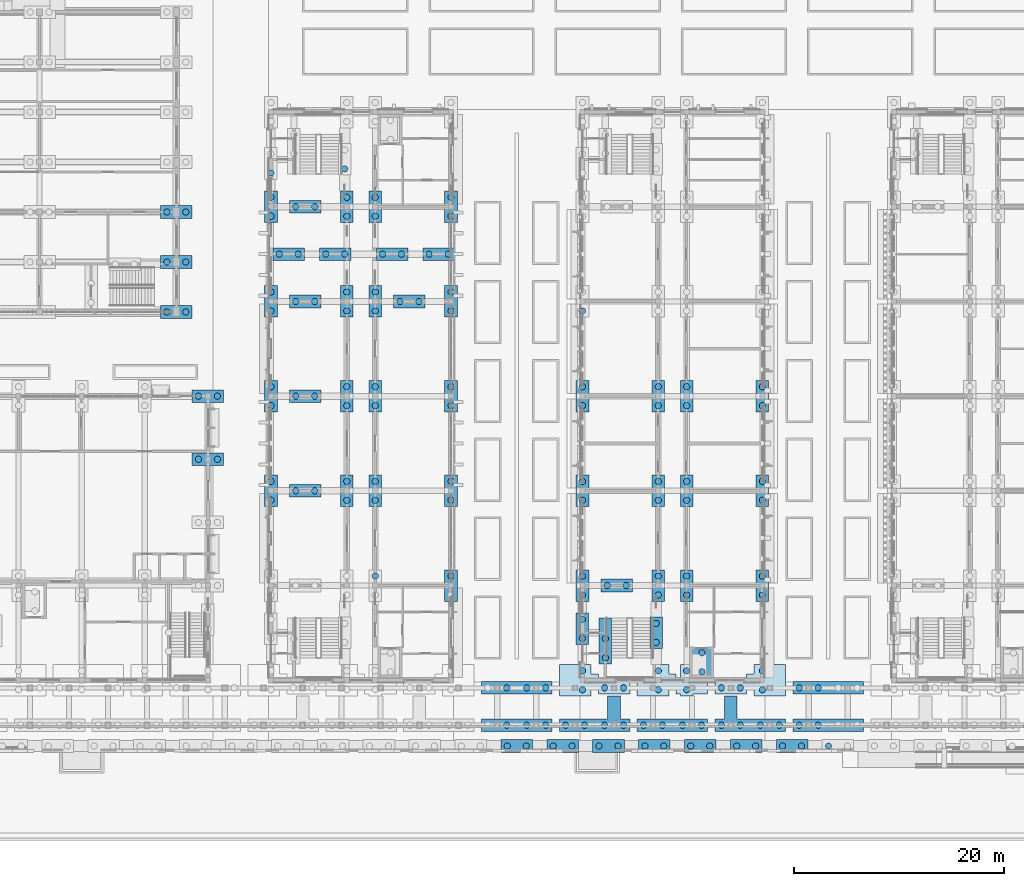
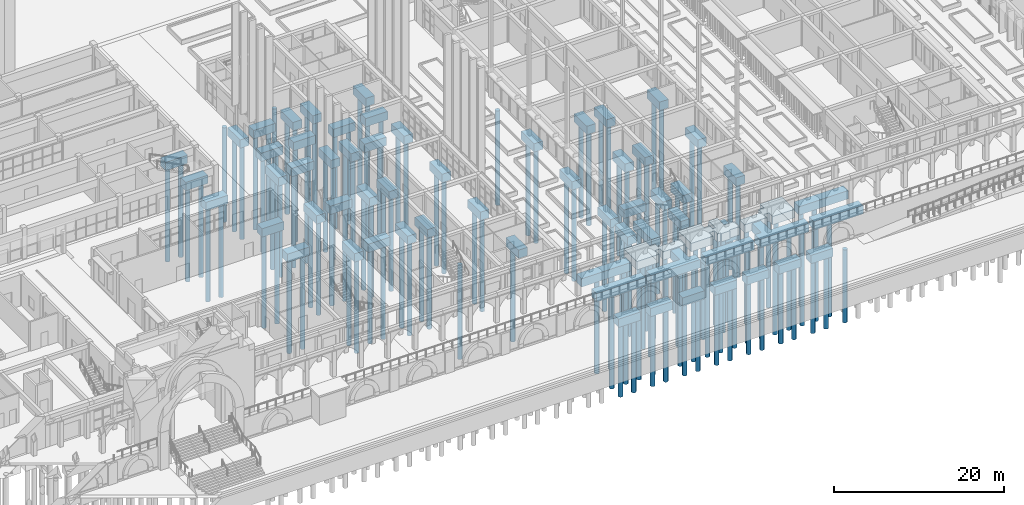
# One storey, part 3 of 161: 148 piles, 65 footings.
"""IFC4 building model written with IfcOpenShell, lengths in metres."""

import ifcopenshell
import ifcopenshell.guid

model = None  # the IFC model being written
_history = None  # IfcOwnerHistory: only IFC2X3 demands one
_inside = {}  # id of a spatial element -> (the spatial element, [elements in it])
_under = {}  # id of a project, library or spatial element -> (it, [spatial elements below it])
_declared = {}  # id of a project -> (the project, [libraries it declares])
_typed = {}  # id of a type object -> (the type object, [elements of that type])
_made_of = {}  # id of a material, layer set ... -> (it, [elements and type objects made of it])


def new_model(schema):
    """Start an empty IFC model of exactly this schema.

    Asked for "IFC4X3", IfcOpenShell would pick the latest addendum, in which some entities
    have other attributes; the version numbers below select the first issue.
    IFC2X3 requires an IfcOwnerHistory on every rooted entity: one is made here for all.
    """
    global model, _history
    if schema == "IFC4X3":
        model = ifcopenshell.file(schema_version=(4, 3, 0, 0))
    else:
        model = ifcopenshell.file(schema=schema)
    _inside.clear()
    _under.clear()
    _declared.clear()
    _typed.clear()
    _made_of.clear()
    _history = None
    if model.schema == "IFC2X3":
        org = make("IfcOrganization", Name="unknown")
        user = make(
            "IfcPersonAndOrganization",
            ThePerson=make("IfcPerson", FamilyName="unknown"),
            TheOrganization=org,
        )
        app = make(
            "IfcApplication",
            ApplicationDeveloper=org,
            Version="unknown",
            ApplicationFullName="unknown",
            ApplicationIdentifier="unknown",
        )
        _history = make(
            "IfcOwnerHistory",
            OwningUser=user,
            OwningApplication=app,
            ChangeAction="ADDED",
            CreationDate=0,
        )
    return model


def make(cls, **values):
    """One entity of the class cls with the attributes given. An attribute that is None is left unset."""
    return model.create_entity(
        cls, **{name: value for name, value in values.items() if value is not None}
    )


def rooted(cls, **values):
    """An entity with a GlobalId (a new one), such as an element, a storey or a relation."""
    return make(cls, GlobalId=ifcopenshell.guid.new(), OwnerHistory=_history, **values)


def si_unit(unit_type, name, prefix=None):
    """IfcSIUnit, for example si_unit("LENGTHUNIT", "METRE", prefix="MILLI")."""
    return make("IfcSIUnit", UnitType=unit_type, Prefix=prefix, Name=name)


def assignment(units):
    """IfcUnitAssignment: the units of a project."""
    return None if units is None else make("IfcUnitAssignment", Units=units)


def point(xyz):
    """IfcCartesianPoint."""
    return None if xyz is None else make("IfcCartesianPoint", Coordinates=xyz)


def direction(xyz):
    """IfcDirection."""
    return None if xyz is None else make("IfcDirection", DirectionRatios=xyz)


def frame(location, z_axis=None, x_axis=None):
    """IfcAxis2Placement3D, a coordinate frame: its origin and axes. An axis left out is left unset."""
    return make(
        "IfcAxis2Placement3D",
        Location=point(location),
        Axis=direction(z_axis),
        RefDirection=direction(x_axis),
    )


def frame_2d(location, x_axis=None):
    """IfcAxis2Placement2D, a coordinate frame in the plane: its origin and x axis."""
    return make(
        "IfcAxis2Placement2D", Location=point(location), RefDirection=direction(x_axis)
    )


def origin():
    """The frame at (0, 0, 0) with its axes left unset."""
    return frame((0.0, 0.0, 0.0))


def origin_2d():
    """The frame at (0, 0) in the plane with its x axis left unset."""
    return frame_2d((0.0, 0.0))


def place(relative_to, where):
    """IfcLocalPlacement: puts the frame where relative to a parent placement (None: the world)."""
    return make(
        "IfcLocalPlacement", PlacementRelTo=relative_to, RelativePlacement=where
    )


def context(
    kind, dimensions, precision=None, world=None, true_north=None, identifier=None
):
    """IfcGeometricRepresentationContext, for example the 3D "Model" context."""
    return make(
        "IfcGeometricRepresentationContext",
        ContextIdentifier=identifier,
        ContextType=kind,
        CoordinateSpaceDimension=dimensions,
        Precision=precision,
        WorldCoordinateSystem=world,
        TrueNorth=true_north,
    )


def subcontext(parent, identifier, kind, view, scale=None):
    """IfcGeometricRepresentationSubContext, for example "Body" below "Model"."""
    return make(
        "IfcGeometricRepresentationSubContext",
        ContextIdentifier=identifier,
        ContextType=kind,
        ParentContext=parent,
        TargetScale=scale,
        TargetView=view,
    )


def project(units=None, contexts=None):
    """IfcProject with its units and contexts."""
    return rooted(
        "IfcProject",
        Name="project",
        RepresentationContexts=contexts,
        UnitsInContext=assignment(units),
    )


def spatial(cls, under=None, at=None, **own):
    """A site, building, storey or space (cls), placed at a placement, below another one or the project."""
    s = rooted(cls, ObjectPlacement=at, **own)
    if under is not None:
        _under.setdefault(under.id(), (under, []))[1].append(s)
    return s


def polyline(points):
    """IfcPolyline through the points."""
    return make("IfcPolyline", Points=[point(p) for p in points])


def profile(cls, at=None, kind="AREA", **sizes):
    """A parametric profile (cls). Its sizes go by their IFC names, for example OverallWidth=200.0."""
    return make(cls, ProfileType=kind, Position=at, **sizes)


def rectangle(**sizes):
    """IfcRectangleProfileDef."""
    return profile("IfcRectangleProfileDef", **sizes)


def circle(**sizes):
    """IfcCircleProfileDef."""
    return profile("IfcCircleProfileDef", **sizes)


def outline(outer, holes=None, kind="AREA"):
    """IfcArbitraryClosedProfileDef: a profile drawn as a closed curve; with holes, ...WithVoids."""
    if holes is None:
        return make("IfcArbitraryClosedProfileDef", ProfileType=kind, OuterCurve=outer)
    return make(
        "IfcArbitraryProfileDefWithVoids",
        ProfileType=kind,
        OuterCurve=outer,
        InnerCurves=holes,
    )


def extrude(swept, where, along, depth):
    """IfcExtrudedAreaSolid: the profile swept, set in the frame where, extruded along a direction by depth."""
    return make(
        "IfcExtrudedAreaSolid",
        SweptArea=swept,
        Position=where,
        ExtrudedDirection=direction(along),
        Depth=depth,
    )


def shape(context_of_items, identifier, shape_type, items):
    """IfcShapeRepresentation: the items that make up one representation, for example the "Body"."""
    return make(
        "IfcShapeRepresentation",
        ContextOfItems=context_of_items,
        RepresentationIdentifier=identifier,
        RepresentationType=shape_type,
        Items=items,
    )


def material(Name=None, Category=None):
    """IfcMaterial."""
    return make("IfcMaterial", Name=Name, Category=Category)


def material_profile(
    of_material, cross_section, Name=None, Category=None, Priority=None
):
    """IfcMaterialProfile: a cross section and its material."""
    return make(
        "IfcMaterialProfile",
        Name=Name,
        Material=of_material,
        Profile=cross_section,
        Priority=Priority,
        Category=Category,
    )


def profile_set(profiles, Name=None, composite=None):
    """IfcMaterialProfileSet."""
    return make(
        "IfcMaterialProfileSet",
        Name=Name,
        MaterialProfiles=profiles,
        CompositeProfile=composite,
    )


def made_of(thing, what):
    """Note that an element or type object is made of a material, layer set ...; save() writes the relation."""
    if what is not None:
        _made_of.setdefault(what.id(), (what, []))[1].append(thing)
    return thing


def type_object(cls, material=None, **own):
    """A type object (cls), such as IfcWallType, which elements share."""
    return made_of(rooted(cls, **own), material)


def element(
    cls,
    number,
    at=None,
    inside=None,
    cuts=None,
    type_object=None,
    material=None,
    context=None,
    identifier="Body",
    shape_type=None,
    held_by="IfcProductDefinitionShape",
    body=None,
    shapes=None,
    **own,
):
    """One element of the class cls, such as IfcWall. Its Tag is "e" and its number.

    at: its placement. inside: the storey or other place that contains it. cuts: it is an
    opening in that element (IfcRelVoidsElement). A single representation is given by context,
    identifier, shape_type and body (its items); several are given by shapes. held_by: the class
    of the entity that holds the representations. save() writes the other relations.
    """
    e = rooted(cls, Tag="e%d" % number, ObjectPlacement=at, **own)
    if body is not None:
        shapes = [shape(context, identifier, shape_type, body)]
    if shapes is not None:
        e.Representation = make(held_by, Representations=shapes)
    if inside is not None:
        _inside.setdefault(inside.id(), (inside, []))[1].append(e)
    if cuts is not None:
        rooted(
            "IfcRelVoidsElement", RelatingBuildingElement=cuts, RelatedOpeningElement=e
        )
    if type_object is not None:
        _typed.setdefault(type_object.id(), (type_object, []))[1].append(e)
    return made_of(e, material)


def aggregate(whole, parts):
    """IfcRelAggregates: a whole, such as a stair, and the parts it consists of."""
    return rooted("IfcRelAggregates", RelatingObject=whole, RelatedObjects=parts)


def save(model, path):
    """Write the relations noted so far, then the file.

    IfcRelAggregates (storeys below a building ...), IfcRelContainedInSpatialStructure (elements
    in a storey), IfcRelDefinesByType, IfcRelAssociatesMaterial and IfcRelDeclares: one each for
    every whole, place, type object, material and project.
    """
    for whole, parts in _under.values():
        aggregate(whole, parts)
    for where, things in _inside.values():
        rooted(
            "IfcRelContainedInSpatialStructure",
            RelatedElements=things,
            RelatingStructure=where,
        )
    for kind, things in _typed.values():
        rooted("IfcRelDefinesByType", RelatedObjects=things, RelatingType=kind)
    for what, things in _made_of.values():
        rooted("IfcRelAssociatesMaterial", RelatedObjects=things, RelatingMaterial=what)
    for by, libraries in _declared.values():
        rooted("IfcRelDeclares", RelatingContext=by, RelatedDefinitions=libraries)
    model.write(path)


model = new_model("IFC4")

# Units and contexts
model_context = context("Model", 3, precision=1e-05, world=origin(), true_north=direction((0.0, 1.0)))
body_context = subcontext(model_context, "Body", "Model", "MODEL_VIEW")
ifc_project = project(units=[si_unit("LENGTHUNIT", "METRE"), si_unit("AREAUNIT", "SQUARE_METRE"), si_unit("VOLUMEUNIT", "CUBIC_METRE"), si_unit("PLANEANGLEUNIT", "RADIAN"), si_unit("MASSUNIT", "GRAM", prefix="KILO")], contexts=[model_context])

# Site, building, storey
site_placement = place(None, origin())
site = spatial("IfcSite", under=ifc_project, at=site_placement, CompositionType="ELEMENT")
building_placement = place(site_placement, origin())
building = spatial("IfcBuilding", under=site, at=building_placement, Name="Elbe Cascade School", CompositionType="ELEMENT")
storey_placement = place(building_placement, origin())
storey = spatial("IfcBuildingStorey", under=building, at=storey_placement, Name="L00", CompositionType="ELEMENT", Elevation=0.0)

# Piles
ifc_material_1 = material(Name="Concrete C35/45", Category="concrete")
ifc_material_profile = material_profile(ifc_material_1, circle(Radius=0.300048828125, at=origin_2d()), Name="RC D600")
ifc_profile_set = profile_set([ifc_material_profile], Name="Concrete C35/45")
pile_type = type_object("IfcPileType", Name="Found bored pile RC D600", PredefinedType="BORED", material=ifc_profile_set)
for number, where, z_axis, x_axis, name in (
    (1, (91.44482421875, -0.25, -4.5), (0.0, 0.0, -1.0), (1.0, 0.0, 0.0), "Pile 018-1"),
    (2, (93.244873046875, -0.25, -4.5), (0.0, 0.0, -1.0), (1.0, 0.0, 0.0), "Pile 018-2"),
    (3, (95.806884765625, -0.25, -4.5), (0.0, 0.0, -1.0), (1.0, 0.0, 0.0), "Pile 019-1"),
    (4, (97.60693359375, -0.25, -4.5), (0.0, 0.0, -1.0), (1.0, 0.0, 0.0), "Pile 019-2"),
    (5, (100.1689453125, -0.25, -4.5), (0.0, 0.0, -1.0), (1.0, 0.0, 0.0), "Pile 020-1"),
    (6, (101.968994140625, -0.25, -4.5), (0.0, 0.0, -1.0), (1.0, 0.0, 0.0), "Pile 020-2"),
    (7, (104.531005859375, -0.25, -4.5), (0.0, 0.0, -1.0), (1.0, 0.0, 0.0), "Pile 021-1"),
    (8, (106.3310546875, -0.25, -4.5), (0.0, 0.0, -1.0), (1.0, 0.0, 0.0), "Pile 021-2"),
    (9, (108.89306640625, -0.25, -4.5), (0.0, 0.0, -1.0), (1.0, 0.0, 0.0), "Pile 022-1"),
    (10, (110.693115234375, -0.25, -4.5), (0.0, 0.0, -1.0), (1.0, 0.0, 0.0), "Pile 022-2"),
    (11, (113.255126953125, -0.25, -4.5), (0.0, 0.0, -1.0), (1.0, 0.0, 0.0), "Pile 023-1"),
    (12, (115.05517578125, -0.25, -4.5), (0.0, 0.0, -1.0), (1.0, 0.0, 0.0), "Pile 023-2"),
    (13, (117.6171875, -0.25, -4.5), (0.0, 0.0, -1.0), (1.0, 0.0, 0.0), "Pile 024-1"),
    (14, (119.417236328125, -0.25, -4.5), (0.0, 0.0, -1.0), (1.0, 0.0, 0.0), "Pile 024-2"),
    (15, (121.979248046875, -0.25, -4.5), (0.0, 0.0, -1.0), (1.0, 0.0, 0.0), "Pile 025-1"),
):
    element("IfcPile", number, at=place(storey_placement, frame(where, z_axis=z_axis, x_axis=x_axis)), inside=storey, type_object=pile_type, Name=name, PredefinedType="BORED", context=body_context, shape_type="SweptSolid", body=[
        extrude(circle(Radius=0.300048828125, at=origin_2d()), origin(), (0.0, 0.0, 1.0), 10.5),
    ])
for number, where, z_axis, x_axis, name in (
    (16, (109.949951171875, 6.800048828125, -3.199951171875), (0.0, 0.0, -1.0), (1.0, 0.0, 0.0), "Pile 038-1"),
    (17, (109.949951171875, 8.60009765625, -3.199951171875), (0.0, 0.0, -1.0), (1.0, 0.0, 0.0), "Pile 038-2"),
):
    element("IfcPile", number, at=place(storey_placement, frame(where, z_axis=z_axis, x_axis=x_axis)), inside=storey, type_object=pile_type, Name=name, PredefinedType="BORED", context=body_context, shape_type="SweptSolid", body=[
        extrude(circle(Radius=0.300048828125, at=origin_2d()), origin(), (0.0, 0.0, 1.0), 11.800048828125),
    ])
for number, where, z_axis, x_axis, name in (
    (18, (59.10009765625, 41.0, -1.39990234375), (0.0, 0.0, -1.0), (1.0, 0.0, 0.0), "Pile 112-1"),
    (19, (60.89990234375, 41.0, -1.39990234375), (0.0, 0.0, -1.0), (1.0, 0.0, 0.0), "Pile 112-2"),
    (20, (59.10009765625, 45.75, -1.39990234375), (0.0, 0.0, -1.0), (1.0, 0.0, 0.0), "Pile 113-1"),
    (21, (60.89990234375, 45.75, -1.39990234375), (0.0, 0.0, -1.0), (1.0, 0.0, 0.0), "Pile 113-2"),
    (22, (59.10009765625, 50.5, -1.39990234375), (0.0, 0.0, -1.0), (1.0, 0.0, 0.0), "Pile 114-1"),
    (23, (60.89990234375, 50.5, -1.39990234375), (0.0, 0.0, -1.0), (1.0, 0.0, 0.0), "Pile 114-2"),
    (24, (62.10009765625, 27.0, -1.39990234375), (0.0, 0.0, -1.0), (1.0, 0.0, 0.0), "Pile 121-1"),
    (25, (63.89990234375, 27.0, -1.39990234375), (0.0, 0.0, -1.0), (1.0, 0.0, 0.0), "Pile 121-2"),
    (26, (62.10009765625, 33.0, -1.39990234375), (0.0, 0.0, -1.0), (1.0, 0.0, 0.0), "Pile 122-1"),
    (27, (63.89990234375, 33.0, -1.39990234375), (0.0, 0.0, -1.0), (1.0, 0.0, 0.0), "Pile 122-2"),
    (28, (68.97998046875, 54.2099609375, -1.39990234375), (0.0, 0.0, -1.0), (1.0, 0.0, 0.0), "Pile 125-1"),
    (29, (69.0, 23.10009765625, -1.39990234375), (0.0, 0.0, -1.0), (1.0, 0.0, 0.0), "Pile 127-1"),
    (30, (69.0, 24.89990234375, -1.39990234375), (0.0, 0.0, -1.0), (1.0, 0.0, 0.0), "Pile 127-2"),
    (31, (69.0, 32.10009765625, -1.39990234375), (0.0, 0.0, -1.0), (1.0, 0.0, 0.0), "Pile 128-1"),
    (32, (69.0, 33.89990234375, -1.39990234375), (0.0, 0.0, -1.0), (1.0, 0.0, 0.0), "Pile 128-2"),
    (33, (69.0, 41.10009765625, -1.39990234375), (0.0, 0.0, -1.0), (1.0, 0.0, 0.0), "Pile 129-1"),
    (34, (69.0, 42.89990234375, -1.39990234375), (0.0, 0.0, -1.0), (1.0, 0.0, 0.0), "Pile 129-2"),
    (35, (69.0, 50.10009765625, -1.39990234375), (0.0, 0.0, -1.0), (1.0, 0.0, 0.0), "Pile 130-1"),
    (36, (69.0, 51.89990234375, -1.39990234375), (0.0, 0.0, -1.0), (1.0, 0.0, 0.0), "Pile 130-2"),
    (37, (69.780029296875, 46.5, -1.39990234375), (0.0, 0.0, -1.0), (1.0, 0.0, 0.0), "Pile 132-1"),
    (38, (71.580078125, 46.5, -1.39990234375), (0.0, 0.0, -1.0), (1.0, 0.0, 0.0), "Pile 132-2"),
    (39, (71.35009765625, 24.0, -1.39990234375), (0.0, 0.0, -1.0), (1.0, 0.0, 0.0), "Pile 134-1"),
    (40, (73.14990234375, 24.0, -1.39990234375), (0.0, 0.0, -1.0), (1.0, 0.0, 0.0), "Pile 134-2"),
    (41, (71.35009765625, 33.0, -1.39990234375), (0.0, 0.0, -1.0), (1.0, 0.0, 0.0), "Pile 135-1"),
    (42, (73.14990234375, 33.0, -1.39990234375), (0.0, 0.0, -1.0), (1.0, 0.0, 0.0), "Pile 135-2"),
    (43, (71.35009765625, 42.0, -1.39990234375), (0.0, 0.0, -1.0), (1.0, 0.0, 0.0), "Pile 136-1"),
    (44, (73.14990234375, 42.0, -1.39990234375), (0.0, 0.0, -1.0), (1.0, 0.0, 0.0), "Pile 136-2"),
    (45, (71.35009765625, 51.0, -1.39990234375), (0.0, 0.0, -1.0), (1.0, 0.0, 0.0), "Pile 137-1"),
    (46, (73.14990234375, 51.0, -1.39990234375), (0.0, 0.0, -1.0), (1.0, 0.0, 0.0), "Pile 137-2"),
    (47, (74.199951171875, 46.5, -1.39990234375), (0.0, 0.0, -1.0), (1.0, 0.0, 0.0), "Pile 138-1"),
    (48, (76.0, 46.5, -1.39990234375), (0.0, 0.0, -1.0), (1.0, 0.0, 0.0), "Pile 138-2"),
    (49, (76.0, 54.60009765625, -1.39990234375), (0.0, 0.0, -1.0), (1.0, 0.0, 0.0), "Pile 140-1"),
    (50, (76.199951171875, 23.10009765625, -1.39990234375), (0.0, 0.0, -1.0), (1.0, 0.0, 0.0), "Pile 142-1"),
    (51, (76.199951171875, 24.89990234375, -1.39990234375), (0.0, 0.0, -1.0), (1.0, 0.0, 0.0), "Pile 142-2"),
    (52, (76.199951171875, 32.10009765625, -1.39990234375), (0.0, 0.0, -1.0), (1.0, 0.0, 0.0), "Pile 143-1"),
    (53, (76.199951171875, 33.89990234375, -1.39990234375), (0.0, 0.0, -1.0), (1.0, 0.0, 0.0), "Pile 143-2"),
    (54, (76.199951171875, 41.10009765625, -1.39990234375), (0.0, 0.0, -1.0), (1.0, 0.0, 0.0), "Pile 144-1"),
    (55, (76.199951171875, 42.89990234375, -1.39990234375), (0.0, 0.0, -1.0), (1.0, 0.0, 0.0), "Pile 144-2"),
    (56, (76.199951171875, 50.10009765625, -1.39990234375), (0.0, 0.0, -1.0), (1.0, 0.0, 0.0), "Pile 145-1"),
    (57, (76.199951171875, 51.89990234375, -1.39990234375), (0.0, 0.0, -1.0), (1.0, 0.0, 0.0), "Pile 145-2"),
    (58, (78.89990234375, 15.89990234375, -1.39990234375), (0.0, 0.0, -1.0), (1.0, 0.0, 0.0), "Pile 147-2"),
    (59, (78.89990234375, 23.10009765625, -1.39990234375), (0.0, 0.0, -1.0), (1.0, 0.0, 0.0), "Pile 148-1"),
    (60, (78.89990234375, 24.89990234375, -1.39990234375), (0.0, 0.0, -1.0), (1.0, 0.0, 0.0), "Pile 148-2"),
    (61, (78.89990234375, 32.10009765625, -1.39990234375), (0.0, 0.0, -1.0), (1.0, 0.0, 0.0), "Pile 149-1"),
    (62, (78.89990234375, 33.89990234375, -1.39990234375), (0.0, 0.0, -1.0), (1.0, 0.0, 0.0), "Pile 149-2"),
    (63, (78.89990234375, 41.10009765625, -1.39990234375), (0.0, 0.0, -1.0), (1.0, 0.0, 0.0), "Pile 150-1"),
    (64, (78.89990234375, 42.89990234375, -1.39990234375), (0.0, 0.0, -1.0), (1.0, 0.0, 0.0), "Pile 150-2"),
    (65, (78.89990234375, 50.10009765625, -1.39990234375), (0.0, 0.0, -1.0), (1.0, 0.0, 0.0), "Pile 151-1"),
    (66, (78.89990234375, 51.89990234375, -1.39990234375), (0.0, 0.0, -1.0), (1.0, 0.0, 0.0), "Pile 151-2"),
    (67, (79.60009765625, 46.5, -1.39990234375), (0.0, 0.0, -1.0), (1.0, 0.0, 0.0), "Pile 153-1"),
    (68, (81.39990234375, 46.5, -1.39990234375), (0.0, 0.0, -1.0), (1.0, 0.0, 0.0), "Pile 153-2"),
    (69, (81.25, 42.0, -1.39990234375), (0.0, 0.0, -1.0), (1.0, 0.0, 0.0), "Pile 154-1"),
    (70, (83.050048828125, 42.0, -1.39990234375), (0.0, 0.0, -1.0), (1.0, 0.0, 0.0), "Pile 154-2"),
    (71, (84.02001953125, 46.5, -1.39990234375), (0.0, 0.0, -1.0), (1.0, 0.0, 0.0), "Pile 155-1"),
    (72, (85.820068359375, 46.5, -1.39990234375), (0.0, 0.0, -1.0), (1.0, 0.0, 0.0), "Pile 155-2"),
    (73, (86.10009765625, 15.89990234375, -1.39990234375), (0.0, 0.0, -1.0), (1.0, 0.0, 0.0), "Pile 156-2"),
    (74, (86.10009765625, 23.10009765625, -1.39990234375), (0.0, 0.0, -1.0), (1.0, 0.0, 0.0), "Pile 157-1"),
    (75, (86.10009765625, 24.89990234375, -1.39990234375), (0.0, 0.0, -1.0), (1.0, 0.0, 0.0), "Pile 157-2"),
    (76, (86.10009765625, 32.10009765625, -1.39990234375), (0.0, 0.0, -1.0), (1.0, 0.0, 0.0), "Pile 158-1"),
    (77, (86.10009765625, 33.89990234375, -1.39990234375), (0.0, 0.0, -1.0), (1.0, 0.0, 0.0), "Pile 158-2"),
    (78, (86.10009765625, 41.10009765625, -1.39990234375), (0.0, 0.0, -1.0), (1.0, 0.0, 0.0), "Pile 159-1"),
    (79, (86.10009765625, 42.89990234375, -1.39990234375), (0.0, 0.0, -1.0), (1.0, 0.0, 0.0), "Pile 159-2"),
    (80, (86.10009765625, 50.10009765625, -1.39990234375), (0.0, 0.0, -1.0), (1.0, 0.0, 0.0), "Pile 160-1"),
    (81, (86.10009765625, 51.89990234375, -1.39990234375), (0.0, 0.0, -1.0), (1.0, 0.0, 0.0), "Pile 160-2"),
    (82, (98.580078125, 9.989990234375, -1.39990234375), (0.0, 0.0, -1.0), (1.0, 0.0, 0.0), "Pile 162-1"),
    (83, (98.580078125, 11.7900390625, -1.39990234375), (0.0, 0.0, -1.0), (1.0, 0.0, 0.0), "Pile 162-2"),
    (84, (98.60009765625, 14.10009765625, -1.39990234375), (0.0, 0.0, -1.0), (1.0, 0.0, 0.0), "Pile 164-1"),
    (85, (98.60009765625, 15.89990234375, -1.39990234375), (0.0, 0.0, -1.0), (1.0, 0.0, 0.0), "Pile 164-2"),
    (86, (98.60009765625, 23.10009765625, -1.39990234375), (0.0, 0.0, -1.0), (1.0, 0.0, 0.0), "Pile 165-1"),
    (87, (98.60009765625, 24.89990234375, -1.39990234375), (0.0, 0.0, -1.0), (1.0, 0.0, 0.0), "Pile 165-2"),
    (88, (98.60009765625, 32.10009765625, -1.39990234375), (0.0, 0.0, -1.0), (1.0, 0.0, 0.0), "Pile 166-1"),
    (89, (98.60009765625, 33.89990234375, -1.39990234375), (0.0, 0.0, -1.0), (1.0, 0.0, 0.0), "Pile 166-2"),
    (90, (98.60009765625, 41.10009765625, -1.39990234375), (0.0, 0.0, -1.0), (1.0, 0.0, 0.0), "Pile 167-1"),
    (91, (100.949951171875, 15.0, -1.39990234375), (0.0, 0.0, -1.0), (1.0, 0.0, 0.0), "Pile 170-1"),
    (92, (102.75, 15.0, -1.39990234375), (0.0, 0.0, -1.0), (1.0, 0.0, 0.0), "Pile 170-2"),
    (93, (105.60009765625, 9.60009765625, -1.39990234375), (0.0, 0.0, -1.0), (1.0, 0.0, 0.0), "Pile 172-1"),
    (94, (105.60009765625, 11.39990234375, -1.39990234375), (0.0, 0.0, -1.0), (1.0, 0.0, 0.0), "Pile 172-2"),
    (95, (105.800048828125, 14.10009765625, -1.39990234375), (0.0, 0.0, -1.0), (1.0, 0.0, 0.0), "Pile 174-1"),
    (96, (105.800048828125, 15.89990234375, -1.39990234375), (0.0, 0.0, -1.0), (1.0, 0.0, 0.0), "Pile 174-2"),
    (97, (105.800048828125, 23.10009765625, -1.39990234375), (0.0, 0.0, -1.0), (1.0, 0.0, 0.0), "Pile 175-1"),
    (98, (105.800048828125, 24.89990234375, -1.39990234375), (0.0, 0.0, -1.0), (1.0, 0.0, 0.0), "Pile 175-2"),
    (99, (105.800048828125, 32.10009765625, -1.39990234375), (0.0, 0.0, -1.0), (1.0, 0.0, 0.0), "Pile 176-1"),
    (100, (105.800048828125, 33.89990234375, -1.39990234375), (0.0, 0.0, -1.0), (1.0, 0.0, 0.0), "Pile 176-2"),
    (101, (108.5, 14.10009765625, -1.39990234375), (0.0, 0.0, -1.0), (1.0, 0.0, 0.0), "Pile 180-1"),
    (102, (108.5, 15.89990234375, -1.39990234375), (0.0, 0.0, -1.0), (1.0, 0.0, 0.0), "Pile 180-2"),
    (103, (108.5, 23.10009765625, -1.39990234375), (0.0, 0.0, -1.0), (1.0, 0.0, 0.0), "Pile 181-1"),
    (104, (108.5, 24.89990234375, -1.39990234375), (0.0, 0.0, -1.0), (1.0, 0.0, 0.0), "Pile 181-2"),
    (105, (108.5, 32.10009765625, -1.39990234375), (0.0, 0.0, -1.0), (1.0, 0.0, 0.0), "Pile 182-1"),
    (106, (108.5, 33.89990234375, -1.39990234375), (0.0, 0.0, -1.0), (1.0, 0.0, 0.0), "Pile 182-2"),
    (107, (115.699951171875, 14.10009765625, -1.39990234375), (0.0, 0.0, -1.0), (1.0, 0.0, 0.0), "Pile 186-1"),
    (108, (115.699951171875, 15.89990234375, -1.39990234375), (0.0, 0.0, -1.0), (1.0, 0.0, 0.0), "Pile 186-2"),
    (109, (115.699951171875, 23.10009765625, -1.39990234375), (0.0, 0.0, -1.0), (1.0, 0.0, 0.0), "Pile 187-1"),
    (110, (115.699951171875, 24.89990234375, -1.39990234375), (0.0, 0.0, -1.0), (1.0, 0.0, 0.0), "Pile 187-2"),
    (111, (115.699951171875, 32.10009765625, -1.39990234375), (0.0, 0.0, -1.0), (1.0, 0.0, 0.0), "Pile 188-1"),
    (112, (115.699951171875, 33.89990234375, -1.39990234375), (0.0, 0.0, -1.0), (1.0, 0.0, 0.0), "Pile 188-2"),
    (113, (98.60009765625, 5.10009765625, -1.39990234375), (0.0, 0.0, -1.0), (1.0, 0.0, 0.0), "Pile 266-1"),
    (114, (98.60009765625, 6.89990234375, -1.39990234375), (0.0, 0.0, -1.0), (1.0, 0.0, 0.0), "Pile 266-2"),
    (115, (100.699951171875, 5.27490234375, -1.39990234375), (0.0, 0.0, -1.0), (1.0, 0.0, 0.0), "Pile 266-3"),
    (116, (102.5, 5.27490234375, -1.39990234375), (0.0, 0.0, -1.0), (1.0, 0.0, 0.0), "Pile 266-4"),
    (117, (105.800048828125, 5.10009765625, -1.39990234375), (0.0, 0.0, -1.0), (1.0, 0.0, 0.0), "Pile 267-1"),
    (118, (105.800048828125, 6.89990234375, -1.39990234375), (0.0, 0.0, -1.0), (1.0, 0.0, 0.0), "Pile 267-2"),
    (119, (108.5, 5.10009765625, -1.39990234375), (0.0, 0.0, -1.0), (1.0, 0.0, 0.0), "Pile 267-3"),
    (120, (108.5, 6.89990234375, -1.39990234375), (0.0, 0.0, -1.0), (1.0, 0.0, 0.0), "Pile 267-4"),
    (121, (111.800048828125, 5.27490234375, -1.39990234375), (0.0, 0.0, -1.0), (1.0, 0.0, 0.0), "Pile 268-1"),
    (122, (113.60009765625, 5.27490234375, -1.39990234375), (0.0, 0.0, -1.0), (1.0, 0.0, 0.0), "Pile 268-2"),
    (123, (115.699951171875, 5.10009765625, -1.39990234375), (0.0, 0.0, -1.0), (1.0, 0.0, 0.0), "Pile 268-3"),
    (124, (115.699951171875, 6.89990234375, -1.39990234375), (0.0, 0.0, -1.0), (1.0, 0.0, 0.0), "Pile 268-4"),
    (125, (91.39990234375, 1.72509765625, -1.39990234375), (0.0, 0.0, -1.0), (1.0, 0.0, 0.0), "Pile 283-2"),
    (126, (93.300048828125, 1.72509765625, -1.39990234375), (0.0, 0.0, -1.0), (1.0, 0.0, 0.0), "Pile 283-3"),
    (127, (95.10009765625, 1.72509765625, -1.39990234375), (0.0, 0.0, -1.0), (1.0, 0.0, 0.0), "Pile 283-4"),
    (128, (104.39990234375, 1.72509765625, -1.39990234375), (0.0, 0.0, -1.0), (1.0, 0.0, 0.0), "Pile 284-1"),
    (129, (106.199951171875, 1.72509765625, -1.39990234375), (0.0, 0.0, -1.0), (1.0, 0.0, 0.0), "Pile 284-2"),
    (130, (108.10009765625, 1.72509765625, -1.39990234375), (0.0, 0.0, -1.0), (1.0, 0.0, 0.0), "Pile 284-3"),
    (131, (109.89990234375, 1.72509765625, -1.39990234375), (0.0, 0.0, -1.0), (1.0, 0.0, 0.0), "Pile 284-4"),
    (132, (119.199951171875, 1.72509765625, -1.39990234375), (0.0, 0.0, -1.0), (1.0, 0.0, 0.0), "Pile 285-1"),
    (133, (121.0, 1.72509765625, -1.39990234375), (0.0, 0.0, -1.0), (1.0, 0.0, 0.0), "Pile 285-2"),
    (134, (91.39990234375, 5.27490234375, -1.39990234375), (0.0, 0.0, -1.0), (1.0, 0.0, 0.0), "Pile 289-2"),
    (135, (93.300048828125, 5.27490234375, -1.39990234375), (0.0, 0.0, -1.0), (1.0, 0.0, 0.0), "Pile 289-3"),
    (136, (95.10009765625, 5.27490234375, -1.39990234375), (0.0, 0.0, -1.0), (1.0, 0.0, 0.0), "Pile 289-4"),
    (137, (119.199951171875, 5.27490234375, -1.39990234375), (0.0, 0.0, -1.0), (1.0, 0.0, 0.0), "Pile 290-1"),
    (138, (121.0, 5.27490234375, -1.39990234375), (0.0, 0.0, -1.0), (1.0, 0.0, 0.0), "Pile 290-2"),
    (139, (100.77490234375, 8.139892578125, -1.39990234375), (0.0, 0.0, -1.0), (1.0, 0.0, 0.0), "Pile 299-1"),
    (140, (100.77490234375, 9.93994140625, -1.39990234375), (0.0, 0.0, -1.0), (1.0, 0.0, 0.0), "Pile 299-2"),
    (141, (97.0, 1.72509765625, -1.39990234375), (0.0, 0.0, -1.0), (1.0, 0.0, 0.0), "Pile 313-1"),
    (142, (98.800048828125, 1.72509765625, -1.39990234375), (0.0, 0.0, -1.0), (1.0, 0.0, 0.0), "Pile 313-2"),
    (143, (100.699951171875, 1.72509765625, -1.39990234375), (0.0, 0.0, -1.0), (1.0, 0.0, 0.0), "Pile 313-3"),
    (144, (102.5, 1.72509765625, -1.39990234375), (0.0, 0.0, -1.0), (1.0, 0.0, 0.0), "Pile 313-4"),
    (145, (111.800048828125, 1.72509765625, -1.39990234375), (0.0, 0.0, -1.0), (1.0, 0.0, 0.0), "Pile 314-1"),
    (146, (113.60009765625, 1.72509765625, -1.39990234375), (0.0, 0.0, -1.0), (1.0, 0.0, 0.0), "Pile 314-2"),
    (147, (115.5, 1.72509765625, -1.39990234375), (0.0, 0.0, -1.0), (1.0, 0.0, 0.0), "Pile 314-3"),
    (148, (117.300048828125, 1.72509765625, -1.39990234375), (0.0, 0.0, -1.0), (1.0, 0.0, 0.0), "Pile 314-4"),
):
    element("IfcPile", number, at=place(storey_placement, frame(where, z_axis=z_axis, x_axis=x_axis)), inside=storey, type_object=pile_type, Name=name, PredefinedType="BORED", context=body_context, shape_type="SweptSolid", body=[
        extrude(circle(Radius=0.300048828125, at=origin_2d()), origin(), (0.0, 0.0, 1.0), 13.60009765625),
    ])

# Footings
ifc_material_2 = material(Name="Concrete C30/37", Category="concrete")
footing_type_1 = type_object("IfcFootingType", Name="Found pile cap 2 piles 3000x1200x1200", PredefinedType="PILE_CAP", material=ifc_material_2)
for number, where, z_axis, x_axis, name in (
    (149, (92.3447265625, -0.25, -4.60009765625), (0.0, 0.0, 1.0), (1.0, 0.0, 0.0), "Pile cap 018"),
    (150, (96.706787109375, -0.25, -4.60009765625), (0.0, 0.0, 1.0), (1.0, 0.0, 0.0), "Pile cap 019"),
    (151, (101.06884765625, -0.25, -4.60009765625), (0.0, 0.0, 1.0), (1.0, 0.0, 0.0), "Pile cap 020"),
    (152, (105.43115234375, -0.25, -4.60009765625), (0.0, 0.0, 1.0), (1.0, 0.0, 0.0), "Pile cap 021"),
    (153, (109.793212890625, -0.25, -4.60009765625), (0.0, 0.0, 1.0), (1.0, 0.0, 0.0), "Pile cap 022"),
    (154, (114.1552734375, -0.25, -4.60009765625), (0.0, 0.0, 1.0), (1.0, 0.0, 0.0), "Pile cap 023"),
    (155, (118.517333984375, -0.25, -4.60009765625), (0.0, 0.0, 1.0), (1.0, 0.0, 0.0), "Pile cap 024"),
    (156, (60.0, 41.0, -1.5), (0.0, 0.0, 1.0), (1.0, 0.0, 0.0), "Pile cap 112"),
    (157, (60.0, 45.75, -1.5), (0.0, 0.0, 1.0), (1.0, 0.0, 0.0), "Pile cap 113"),
    (158, (60.0, 50.5, -1.5), (0.0, 0.0, 1.0), (1.0, 0.0, 0.0), "Pile cap 114"),
    (159, (63.0, 27.0, -1.5), (0.0, 0.0, 1.0), (1.0, 0.0, 0.0), "Pile cap 121"),
    (160, (63.0, 33.0, -1.5), (0.0, 0.0, 1.0), (1.0, 0.0, 0.0), "Pile cap 122"),
):
    element("IfcFooting", number, at=place(storey_placement, frame(where, z_axis=z_axis, x_axis=x_axis)), inside=storey, type_object=footing_type_1, Name=name, PredefinedType="PILE_CAP", context=body_context, shape_type="SweptSolid", body=[
        extrude(rectangle(XDim=3.0, YDim=1.199951171875, at=origin_2d()), origin(), (0.0, 0.0, 1.0), 1.199951171875),
    ])
for number, where, z_axis, x_axis, name in (
    (161, (69.0, 24.0, -1.5), (0.0, 0.0, 1.0), (1.0, 0.0, 0.0), "Pile cap 127"),
    (162, (69.0, 33.0, -1.5), (0.0, 0.0, 1.0), (1.0, 0.0, 0.0), "Pile cap 128"),
    (163, (69.0, 42.0, -1.5), (0.0, 0.0, 1.0), (1.0, 0.0, 0.0), "Pile cap 129"),
    (164, (69.0, 51.0, -1.5), (0.0, 0.0, 1.0), (1.0, 0.0, 0.0), "Pile cap 130"),
):
    element("IfcFooting", number, at=place(storey_placement, frame(where, z_axis=z_axis, x_axis=x_axis)), inside=storey, type_object=footing_type_1, Name=name, PredefinedType="PILE_CAP", context=body_context, shape_type="SweptSolid", body=[
        extrude(rectangle(XDim=1.199951171875, YDim=3.0, at=origin_2d()), origin(), (0.0, 0.0, 1.0), 1.199951171875),
    ])
for number, where, z_axis, x_axis, name in (
    (165, (70.679931640625, 46.5, -1.5), (0.0, 0.0, 1.0), (1.0, 0.0, 0.0), "Pile cap 132"),
    (166, (72.25, 24.0, -1.5), (0.0, 0.0, 1.0), (1.0, 0.0, 0.0), "Pile cap 134"),
    (167, (72.25, 33.0, -1.5), (0.0, 0.0, 1.0), (1.0, 0.0, 0.0), "Pile cap 135"),
    (168, (72.25, 42.0, -1.5), (0.0, 0.0, 1.0), (1.0, 0.0, 0.0), "Pile cap 136"),
    (169, (72.25, 51.0, -1.5), (0.0, 0.0, 1.0), (1.0, 0.0, 0.0), "Pile cap 137"),
    (170, (75.10009765625, 46.5, -1.5), (0.0, 0.0, 1.0), (1.0, 0.0, 0.0), "Pile cap 138"),
):
    element("IfcFooting", number, at=place(storey_placement, frame(where, z_axis=z_axis, x_axis=x_axis)), inside=storey, type_object=footing_type_1, Name=name, PredefinedType="PILE_CAP", context=body_context, shape_type="SweptSolid", body=[
        extrude(rectangle(XDim=3.0, YDim=1.199951171875, at=origin_2d()), origin(), (0.0, 0.0, 1.0), 1.199951171875),
    ])
for number, where, z_axis, x_axis, name in (
    (171, (76.199951171875, 24.0, -1.5), (0.0, 0.0, 1.0), (1.0, 0.0, 0.0), "Pile cap 142"),
    (172, (76.199951171875, 33.0, -1.5), (0.0, 0.0, 1.0), (1.0, 0.0, 0.0), "Pile cap 143"),
    (173, (76.199951171875, 42.0, -1.5), (0.0, 0.0, 1.0), (1.0, 0.0, 0.0), "Pile cap 144"),
    (174, (76.199951171875, 51.0, -1.5), (0.0, 0.0, 1.0), (1.0, 0.0, 0.0), "Pile cap 145"),
    (175, (78.89990234375, 24.0, -1.5), (0.0, 0.0, 1.0), (1.0, 0.0, 0.0), "Pile cap 148"),
    (176, (78.89990234375, 33.0, -1.5), (0.0, 0.0, 1.0), (1.0, 0.0, 0.0), "Pile cap 149"),
    (177, (78.89990234375, 42.0, -1.5), (0.0, 0.0, 1.0), (1.0, 0.0, 0.0), "Pile cap 150"),
    (178, (78.89990234375, 51.0, -1.5), (0.0, 0.0, 1.0), (1.0, 0.0, 0.0), "Pile cap 151"),
):
    element("IfcFooting", number, at=place(storey_placement, frame(where, z_axis=z_axis, x_axis=x_axis)), inside=storey, type_object=footing_type_1, Name=name, PredefinedType="PILE_CAP", context=body_context, shape_type="SweptSolid", body=[
        extrude(rectangle(XDim=1.199951171875, YDim=3.0, at=origin_2d()), origin(), (0.0, 0.0, 1.0), 1.199951171875),
    ])
for number, where, z_axis, x_axis, name in (
    (179, (80.5, 46.5, -1.5), (0.0, 0.0, 1.0), (1.0, 0.0, 0.0), "Pile cap 153"),
    (180, (82.14990234375, 42.0, -1.5), (0.0, 0.0, 1.0), (1.0, 0.0, 0.0), "Pile cap 154"),
    (181, (84.919921875, 46.5, -1.5), (0.0, 0.0, 1.0), (1.0, 0.0, 0.0), "Pile cap 155"),
):
    element("IfcFooting", number, at=place(storey_placement, frame(where, z_axis=z_axis, x_axis=x_axis)), inside=storey, type_object=footing_type_1, Name=name, PredefinedType="PILE_CAP", context=body_context, shape_type="SweptSolid", body=[
        extrude(rectangle(XDim=3.0, YDim=1.199951171875, at=origin_2d()), origin(), (0.0, 0.0, 1.0), 1.199951171875),
    ])
for number, where, z_axis, x_axis, name in (
    (182, (86.10009765625, 15.0, -1.5), (0.0, 0.0, 1.0), (1.0, 0.0, 0.0), "Pile cap 156"),
    (183, (86.10009765625, 24.0, -1.5), (0.0, 0.0, 1.0), (1.0, 0.0, 0.0), "Pile cap 157"),
    (184, (86.10009765625, 33.0, -1.5), (0.0, 0.0, 1.0), (1.0, 0.0, 0.0), "Pile cap 158"),
    (185, (86.10009765625, 42.0, -1.5), (0.0, 0.0, 1.0), (1.0, 0.0, 0.0), "Pile cap 159"),
    (186, (86.10009765625, 51.0, -1.5), (0.0, 0.0, 1.0), (1.0, 0.0, 0.0), "Pile cap 160"),
    (187, (98.580078125, 10.889892578125, -1.5), (0.0, 0.0, 1.0), (1.0, 0.0, 0.0), "Pile cap 162"),
    (188, (98.60009765625, 15.0, -1.5), (0.0, 0.0, 1.0), (1.0, 0.0, 0.0), "Pile cap 164"),
    (189, (98.60009765625, 24.0, -1.5), (0.0, 0.0, 1.0), (1.0, 0.0, 0.0), "Pile cap 165"),
    (190, (98.60009765625, 33.0, -1.5), (0.0, 0.0, 1.0), (1.0, 0.0, 0.0), "Pile cap 166"),
):
    element("IfcFooting", number, at=place(storey_placement, frame(where, z_axis=z_axis, x_axis=x_axis)), inside=storey, type_object=footing_type_1, Name=name, PredefinedType="PILE_CAP", context=body_context, shape_type="SweptSolid", body=[
        extrude(rectangle(XDim=1.199951171875, YDim=3.0, at=origin_2d()), origin(), (0.0, 0.0, 1.0), 1.199951171875),
    ])
footing_1_placement = place(storey_placement, frame((101.85009765625, 15.0, -1.5), z_axis=(0.0, 0.0, 1.0), x_axis=(1.0, 0.0, 0.0)))
element("IfcFooting", 191, at=footing_1_placement, inside=storey, type_object=footing_type_1, Name="Pile cap 170", PredefinedType="PILE_CAP", context=body_context, shape_type="SweptSolid", body=[
    extrude(rectangle(XDim=3.0, YDim=1.199951171875, at=origin_2d()), origin(), (0.0, 0.0, 1.0), 1.199951171875),
])
for number, where, z_axis, x_axis, name in (
    (192, (105.60009765625, 10.5, -1.5), (0.0, 0.0, 1.0), (1.0, 0.0, 0.0), "Pile cap 172"),
    (193, (105.800048828125, 15.0, -1.5), (0.0, 0.0, 1.0), (1.0, 0.0, 0.0), "Pile cap 174"),
    (194, (105.800048828125, 24.0, -1.5), (0.0, 0.0, 1.0), (1.0, 0.0, 0.0), "Pile cap 175"),
    (195, (105.800048828125, 33.0, -1.5), (0.0, 0.0, 1.0), (1.0, 0.0, 0.0), "Pile cap 176"),
    (196, (108.5, 15.0, -1.5), (0.0, 0.0, 1.0), (1.0, 0.0, 0.0), "Pile cap 180"),
    (197, (108.5, 24.0, -1.5), (0.0, 0.0, 1.0), (1.0, 0.0, 0.0), "Pile cap 181"),
    (198, (108.5, 33.0, -1.5), (0.0, 0.0, 1.0), (1.0, 0.0, 0.0), "Pile cap 182"),
    (199, (115.699951171875, 15.0, -1.5), (0.0, 0.0, 1.0), (1.0, 0.0, 0.0), "Pile cap 186"),
    (200, (115.699951171875, 24.0, -1.5), (0.0, 0.0, 1.0), (1.0, 0.0, 0.0), "Pile cap 187"),
    (201, (115.699951171875, 33.0, -1.5), (0.0, 0.0, 1.0), (1.0, 0.0, 0.0), "Pile cap 188"),
):
    element("IfcFooting", number, at=place(storey_placement, frame(where, z_axis=z_axis, x_axis=x_axis)), inside=storey, type_object=footing_type_1, Name=name, PredefinedType="PILE_CAP", context=body_context, shape_type="SweptSolid", body=[
        extrude(rectangle(XDim=1.199951171875, YDim=3.0, at=origin_2d()), origin(), (0.0, 0.0, 1.0), 1.199951171875),
    ])
ifc_material_3 = material(Name="Concrete C30/37", Category="concrete")
footing_type_2 = type_object("IfcFootingType", Name="Found pile cap 2 piles 4360x1200x1200", PredefinedType="PILE_CAP", material=ifc_material_3)
footing_2_placement = place(storey_placement, frame((100.77490234375, 9.719970703125, -1.5), z_axis=(0.0, 0.0, 1.0), x_axis=(1.0, 0.0, 0.0)))
element("IfcFooting", 202, at=footing_2_placement, inside=storey, type_object=footing_type_2, Name="Pile cap 299", PredefinedType="PILE_CAP", context=body_context, shape_type="SweptSolid", body=[
    extrude(rectangle(XDim=1.199951171875, YDim=4.360107421875, at=origin_2d()), origin(), (0.0, 0.0, 1.0), 1.199951171875),
])
ifc_material_4 = material(Name="Concrete C30/37", Category="concrete")
footing_type_3 = type_object("IfcFootingType", Name="Found pile cap 4 piles 6700x1200x1200", PredefinedType="PILE_CAP", material=ifc_material_4)
for number, where, z_axis, x_axis, name in (
    (203, (92.35009765625, 1.72509765625, -1.5), (0.0, 0.0, 1.0), (1.0, 0.0, 0.0), "Pile cap 283"),
    (204, (107.14990234375, 1.72509765625, -1.5), (0.0, 0.0, 1.0), (1.0, 0.0, 0.0), "Pile cap 284"),
    (205, (121.949951171875, 1.72509765625, -1.5), (0.0, 0.0, 1.0), (1.0, 0.0, 0.0), "Pile cap 285"),
    (206, (92.35009765625, 5.27490234375, -1.5), (0.0, 0.0, 1.0), (1.0, 0.0, 0.0), "Pile cap 289"),
    (207, (121.949951171875, 5.27490234375, -1.5), (0.0, 0.0, 1.0), (1.0, 0.0, 0.0), "Pile cap 290"),
):
    element("IfcFooting", number, at=place(storey_placement, frame(where, z_axis=z_axis, x_axis=x_axis)), inside=storey, type_object=footing_type_3, Name=name, PredefinedType="PILE_CAP", context=body_context, shape_type="SweptSolid", body=[
        extrude(rectangle(XDim=6.699951171875, YDim=1.199951171875, at=origin_2d()), origin(), (0.0, 0.0, 1.0), 1.199951171875),
    ])
ifc_material_5 = material(Name="Concrete C30/37", Category="concrete")
footing_type_4 = type_object("IfcFootingType", Name="Found pile cap merged 1200", PredefinedType="PILE_CAP", material=ifc_material_5)
footing_3_placement = place(storey_placement, frame((0.0, 0.0, -3.300048828125)))
element("IfcFooting", 208, at=footing_3_placement, inside=storey, type_object=footing_type_4, Name="Pile cap 038", PredefinedType="PILE_CAP", context=body_context, shape_type="SweptSolid", body=[
    extrude(outline(polyline([(108.75, 9.14990234375), (111.050048828125, 9.14990234375), (111.050048828125, 6.25), (109.10009765625, 6.25), (109.10009765625, 7.5), (108.75, 7.5), (108.75, 9.14990234375)])), origin(), (0.0, 0.0, 1.0), 1.199951171875),
])
footing_4_placement = place(storey_placement, frame((0.0, 0.0, -1.5)))
element("IfcFooting", 209, at=footing_4_placement, inside=storey, type_object=footing_type_4, Name="Pile cap 266", PredefinedType="PILE_CAP", context=body_context, shape_type="SweptSolid", body=[
    extrude(outline(polyline([(103.10009765625, 5.875), (103.10009765625, 4.675048828125), (100.10009765625, 4.675048828125), (100.10009765625, 5.3798828125), (99.39990234375, 5.3798828125), (99.39990234375, 4.5), (96.39990234375, 4.5), (96.39990234375, 7.5), (99.39990234375, 7.5), (99.39990234375, 6.580078125), (100.10009765625, 6.580078125), (100.10009765625, 5.875), (103.10009765625, 5.875)])), origin(), (0.0, 0.0, 1.0), 1.199951171875),
])
footing_5_placement = place(storey_placement, frame((0.0, 0.0, -1.5)))
element("IfcFooting", 210, at=footing_5_placement, inside=storey, type_object=footing_type_4, Name="Pile cap 267", PredefinedType="PILE_CAP", context=body_context, shape_type="SweptSolid", body=[
    extrude(outline(polyline([(107.5, 5.875), (107.89990234375, 5.875), (107.89990234375, 7.5), (109.10009765625, 7.5), (109.10009765625, 5.875), (110.5, 5.875), (110.5, 4.675048828125), (109.10009765625, 4.675048828125), (109.10009765625, 4.5), (107.89990234375, 4.5), (107.89990234375, 4.675048828125), (107.5, 4.675048828125), (107.5, 5.3798828125), (106.800048828125, 5.3798828125), (106.800048828125, 4.5), (103.800048828125, 4.5), (103.800048828125, 7.5), (106.800048828125, 7.5), (106.800048828125, 6.580078125), (107.5, 6.580078125), (107.5, 5.875)])), origin(), (0.0, 0.0, 1.0), 1.199951171875),
])
footing_6_placement = place(storey_placement, frame((0.0, 0.0, -1.5)))
element("IfcFooting", 211, at=footing_6_placement, inside=storey, type_object=footing_type_4, Name="Pile cap 268", PredefinedType="PILE_CAP", context=body_context, shape_type="SweptSolid", body=[
    extrude(outline(polyline([(114.199951171875, 4.675048828125), (111.199951171875, 4.675048828125), (111.199951171875, 5.875), (114.199951171875, 5.875), (114.199951171875, 6.580078125), (114.89990234375, 6.580078125), (114.89990234375, 7.5), (117.89990234375, 7.5), (117.89990234375, 4.5), (114.89990234375, 4.5), (114.89990234375, 5.3798828125), (114.199951171875, 5.3798828125), (114.199951171875, 4.675048828125)])), origin(), (0.0, 0.0, 1.0), 1.199951171875),
])
footing_7_placement = place(storey_placement, frame((0.0, 0.0, -1.5)))
element("IfcFooting", 212, at=footing_7_placement, inside=storey, type_object=footing_type_4, Name="Pile cap 313", PredefinedType="PILE_CAP", context=body_context, shape_type="SweptSolid", body=[
    extrude(outline(polyline([(96.39990234375, 2.324951171875), (99.39990234375, 2.324951171875), (100.10009765625, 2.324951171875), (101.0, 2.324951171875), (101.0, 4.5), (102.199951171875, 4.5), (102.199951171875, 2.324951171875), (103.10009765625, 2.324951171875), (103.10009765625, 1.125), (100.10009765625, 1.125), (99.39990234375, 1.125), (96.39990234375, 1.125), (96.39990234375, 2.324951171875)])), origin(), (0.0, 0.0, 1.0), 1.199951171875),
])
footing_8_placement = place(storey_placement, frame((0.0, 0.0, -1.5)))
element("IfcFooting", 213, at=footing_8_placement, inside=storey, type_object=footing_type_4, Name="Pile cap 314", PredefinedType="PILE_CAP", context=body_context, shape_type="SweptSolid", body=[
    extrude(outline(polyline([(111.199951171875, 2.324951171875), (112.10009765625, 2.324951171875), (112.10009765625, 4.5), (113.300048828125, 4.5), (113.300048828125, 2.324951171875), (114.199951171875, 2.324951171875), (114.89990234375, 2.324951171875), (117.89990234375, 2.324951171875), (117.89990234375, 1.125), (114.89990234375, 1.125), (114.199951171875, 1.125), (111.199951171875, 1.125), (111.199951171875, 2.324951171875)])), origin(), (0.0, 0.0, 1.0), 1.199951171875),
])

save(model, "model.ifc")
